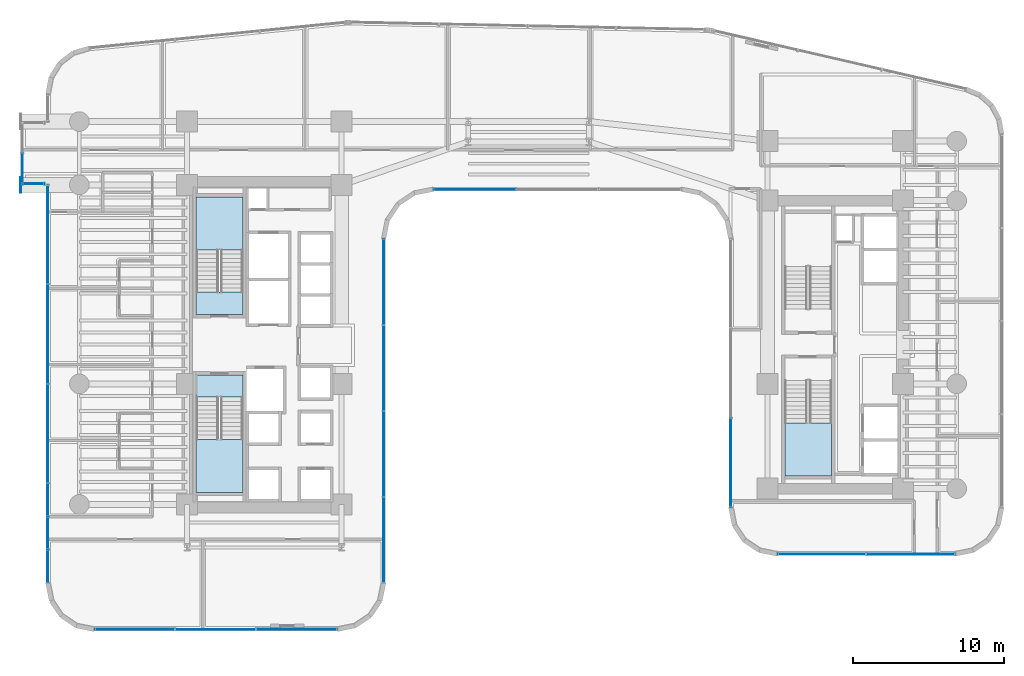
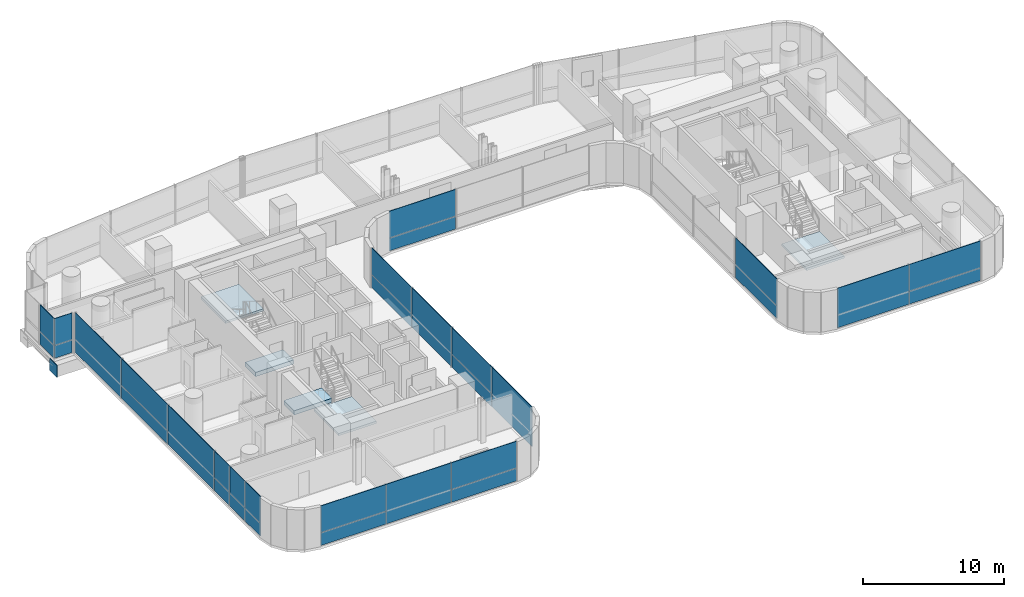
# One storey, part 29 of 40: 33 plates, 5 slabs, 11 elements without a shape of their own.
"""IFC4 building model written with IfcOpenShell, lengths in metres."""

from ifc_helpers import new_model, si_unit, direction, frame, origin, origin_2d, place, context, subcontext, project, spatial, polyline, rectangle, outline, extrude, source, transform, mapped, material, layer, layer_set, type_object, element, aggregate, save


model = new_model("IFC4")

# Units and contexts
model_context = context("Model", 3, precision=1e-05, world=origin(), true_north=direction((0.0, 1.0)))
body_context = subcontext(model_context, "Body", "Model", "MODEL_VIEW")
ifc_project = project(units=[si_unit("LENGTHUNIT", "METRE"), si_unit("AREAUNIT", "SQUARE_METRE"), si_unit("VOLUMEUNIT", "CUBIC_METRE"), si_unit("PLANEANGLEUNIT", "RADIAN"), si_unit("MASSUNIT", "GRAM", prefix="KILO")], contexts=[model_context])

# Site, building, storey
site_placement = place(None, origin())
site = spatial("IfcSite", under=ifc_project, at=site_placement, CompositionType="ELEMENT")
building_placement = place(site_placement, origin())
building = spatial("IfcBuilding", under=site, at=building_placement, Name="Valdorenza Pilgrim Sanctuary Tower", CompositionType="ELEMENT")
storey_placement = place(building_placement, frame((0.0, 0.0, 81.5)))
storey = spatial("IfcBuildingStorey", under=building, at=storey_placement, Name="L20", CompositionType="ELEMENT", Elevation=81.5)

# Stair, slab
ifc_material_1 = material(Name="Concrete C40/50", Category="concrete")
stair_type = type_object("IfcStairType", Name="STR-DOG-CORE", PredefinedType="HALF_TURN_STAIR", material=ifc_material_1)
stair_1_placement = place(storey_placement, origin())
stair_1 = element("IfcStair", 1, at=stair_1_placement, inside=storey, type_object=stair_type, Name="L20 ST-A1", PredefinedType="HALF_TURN_STAIR")
ifc_layer_1 = layer(ifc_material_1, 0.199951171875, Name="Concrete C40/50")
ifc_layer_set_1 = layer_set([ifc_layer_1], Name="Concrete C40/50")
slab_type_1 = type_object("IfcSlabType", Name="SLAB-STL-200", PredefinedType="LANDING", material=ifc_layer_set_1)
slab_1_placement = place(storey_placement, frame((0.0, 0.0, 1.64990234375)))
slab_1 = element("IfcSlab", 2, at=slab_1_placement, type_object=slab_type_1, Name="ST-A1 landing 1", PredefinedType="LANDING", context=body_context, shape_type="SweptSolid", body=[
    extrude(outline(polyline([(-18.93994140625, 6.280029296875), (-18.93994140625, 9.800048828125), (-22.050048828125, 9.800048828125), (-22.050048828125, 6.280029296875), (-18.93994140625, 6.280029296875)])), origin(), (0.0, 0.0, 1.0), 0.2001953125),
])
aggregate(stair_1, [slab_1])

stair_2_placement = place(storey_placement, origin())
stair_2 = element("IfcStair", 3, at=stair_2_placement, inside=storey, type_object=stair_type, Name="L20 ST-A2", PredefinedType="HALF_TURN_STAIR")
slab_2_placement = place(storey_placement, frame((0.0, 0.0, 1.64990234375)))
slab_2 = element("IfcSlab", 4, at=slab_2_placement, type_object=slab_type_1, Name="ST-A2 landing 1", PredefinedType="LANDING", context=body_context, shape_type="SweptSolid", body=[
    extrude(outline(polyline([(-22.050048828125, -6.280029296875), (-22.050048828125, -9.800048828125), (-18.93994140625, -9.800048828125), (-18.93994140625, -6.280029296875), (-22.050048828125, -6.280029296875)])), origin(), (0.0, 0.0, 1.0), 0.2001953125),
])
aggregate(stair_2, [slab_2])

stair_3_placement = place(storey_placement, origin())
stair_3 = element("IfcStair", 5, at=stair_3_placement, inside=storey, type_object=stair_type, Name="L20 ST-B2", PredefinedType="HALF_TURN_STAIR")
slab_3_placement = place(storey_placement, frame((0.0, 0.0, 1.64990234375)))
slab_3 = element("IfcSlab", 6, at=slab_3_placement, type_object=slab_type_1, Name="ST-B2 landing 1", PredefinedType="LANDING", context=body_context, shape_type="SweptSolid", body=[
    extrude(outline(polyline([(17.0, -5.179931640625), (17.0, -8.699951171875), (20.110107421875, -8.699951171875), (20.110107421875, -5.179931640625), (17.0, -5.179931640625)])), origin(), (0.0, 0.0, 1.0), 0.2001953125),
])
aggregate(stair_3, [slab_3])

# Slabs
ifc_material_2 = material(Name="Concrete C50/60", Category="concrete")
ifc_layer_2 = layer(ifc_material_2, 0.39990234375, Name="Concrete C50/60")
ifc_layer_set_2 = layer_set([ifc_layer_2], Name="Concrete C50/60")
slab_type_2 = type_object("IfcSlabType", Name="SLAB-TRF-400", PredefinedType="FLOOR", material=ifc_layer_set_2)
slab_4_placement = place(storey_placement, frame((0.0, 0.0, -0.360107421875)))
element("IfcSlab", 7, at=slab_4_placement, inside=storey, type_object=slab_type_2, Name="L20 ST-A1 Structural Stair Landing Bearing Slab", PredefinedType="FLOOR", context=body_context, shape_type="SweptSolid", body=[
    extrude(outline(polyline([(-22.050048828125, 2.0), (-18.93994140625, 2.0), (-18.93994140625, 3.485107421875), (-22.050048828125, 3.485107421875), (-22.050048828125, 2.0)])), origin(), (0.0, 0.0, 1.0), 0.360107421875),
])
slab_5_placement = place(storey_placement, frame((0.0, 0.0, -0.360107421875)))
element("IfcSlab", 8, at=slab_5_placement, inside=storey, type_object=slab_type_2, Name="L20 ST-A2 Structural Stair Landing Bearing Slab", PredefinedType="FLOOR", context=body_context, shape_type="SweptSolid", body=[
    extrude(outline(polyline([(-22.050048828125, -3.485107421875), (-18.93994140625, -3.485107421875), (-18.93994140625, -2.0), (-22.050048828125, -2.0), (-22.050048828125, -3.485107421875)])), origin(), (0.0, 0.0, 1.0), 0.360107421875),
])

# Plate
ifc_material_3 = material(Name="Steel ASTM A572 Grade 42", Category="steel")
ifc_layer_3 = layer(ifc_material_3, 0.06005859375, Name="Steel ASTM A572 Grade 42")
ifc_layer_set_3 = layer_set([ifc_layer_3], Name="Steel ASTM A572 Grade 42")
plate_type_1 = type_object("IfcPlateType", Name="PLT-CAP-60", PredefinedType="SHEET", material=ifc_layer_set_3)
shared_shape_1 = source(origin(), body_context, "Body", "SweptSolid", [
    extrude(rectangle(XDim=0.06005859375, YDim=1.0400390625, at=origin_2d()), origin(), (0.0, 0.0, 1.0), 1.0400390625),
])
plate_1_placement = place(storey_placement, frame((-33.679931640625, 10.60009765625, -1.260009765625), z_axis=(0.0, 0.0, 1.0), x_axis=(1.0, 0.0, 0.0)))
element("IfcPlate", 9, at=plate_1_placement, inside=storey, type_object=plate_type_1, Name="L20 BOX-WA-L20 Cantilever Tip End Cap S", PredefinedType="SHEET", context=body_context, shape_type="MappedRepresentation", body=[
    mapped(shared_shape_1, transform((0.0, 0.0, 0.0), x_axis=(1.0, 0.0, 0.0), y_axis=(0.0, 1.0, 0.0), z_axis=(0.0, 0.0, 1.0), scale=1.0)),
])

# Curtain wall, plates
ifc_material_4 = material(Name="Curtain-wall IGU glazing", Category="glass")
curtain_wall_type_1 = type_object("IfcCurtainWallType", Name="CW-SYS-03", PredefinedType="NOTDEFINED", material=ifc_material_4)
curtain_wall_1_placement = place(storey_placement, origin())
curtain_wall_1 = element("IfcCurtainWall", 10, at=curtain_wall_1_placement, inside=storey, type_object=curtain_wall_type_1, Name="L20 Curtain Wall CW-L20-1-26", PredefinedType="NOTDEFINED")
ifc_material_5 = material(Name="Honed travertine limestone", Category="masonry")
ifc_layer_4 = layer(ifc_material_5, 0.050048828125, Name="Honed travertine limestone")
ifc_layer_set_4 = layer_set([ifc_layer_4], Name="Honed travertine limestone")
plate_type_2 = type_object("IfcPlateType", Name="CW-SPN-TRV", PredefinedType="USERDEFINED", material=ifc_layer_set_4)
shared_shape_2 = source(origin(), body_context, "Body", "SweptSolid", [
    extrude(rectangle(XDim=5.869140625, YDim=0.06005859375, at=origin_2d()), origin(), (0.0, 0.0, 1.0), 1.10009765625),
])
plate_2_placement = place(storey_placement, frame((25.344482421875, -13.889892578125, 0.010009765625), z_axis=(0.0, 0.0, 1.0), x_axis=(-1.0, 0.0, 0.0)))
plate_2 = element("IfcPlate", 11, at=plate_2_placement, type_object=plate_type_2, Name="CW-L20-1-26 Travertine Spandrel 1", ObjectType="SPANDREL", PredefinedType="USERDEFINED", context=body_context, shape_type="MappedRepresentation", body=[
    mapped(shared_shape_2, transform((0.0, 0.0, 0.0), x_axis=(1.0, 0.0, 0.0), y_axis=(0.0, 1.0, 0.0), z_axis=(0.0, 0.0, 1.0), scale=1.0)),
])
ifc_material_6 = material(Name="Ceramic-fritted low-E IGU glazing", Category="glass")
ifc_layer_5 = layer(ifc_material_6, 0.035888671875, Name="Ceramic-fritted low-E IGU glazing")
ifc_layer_set_5 = layer_set([ifc_layer_5], Name="Ceramic-fritted low-E IGU glazing")
plate_type_3 = type_object("IfcPlateType", Name="CW-GLZ-IGU", PredefinedType="USERDEFINED", material=ifc_layer_set_5)
shared_shape_3 = source(origin(), body_context, "Body", "SweptSolid", [
    extrude(rectangle(XDim=5.869140625, YDim=0.050048828125, at=origin_2d()), origin(), (0.0, 0.0, 1.0), 2.320068359375),
])
plate_3_placement = place(storey_placement, frame((25.344482421875, -13.889892578125, 1.1298828125), z_axis=(0.0, 0.0, 1.0), x_axis=(-1.0, 0.0, 0.0)))
plate_3 = element("IfcPlate", 12, at=plate_3_placement, type_object=plate_type_3, Name="CW-L20-1-26 Facade Panel 1", ObjectType="GLAZING", PredefinedType="USERDEFINED", context=body_context, shape_type="MappedRepresentation", body=[
    mapped(shared_shape_3, transform((0.0, 0.0, 0.0), x_axis=(1.0, 0.0, 0.0), y_axis=(0.0, 1.0, 0.0), z_axis=(0.0, 0.0, 1.0), scale=1.0)),
])
shared_shape_4 = source(origin(), body_context, "Body", "SweptSolid", [
    extrude(rectangle(XDim=5.869140625, YDim=0.050048828125, at=origin_2d()), origin(), (0.0, 0.0, 1.0), 3.43994140625),
])
plate_4_placement = place(storey_placement, frame((19.455322265625, -13.889892578125, 0.010009765625), z_axis=(0.0, 0.0, 1.0), x_axis=(-1.0, 0.0, 0.0)))
plate_4 = element("IfcPlate", 13, at=plate_4_placement, type_object=plate_type_3, Name="CW-L20-1-26 Full-Height Facade Panel 2", ObjectType="GLAZING", PredefinedType="USERDEFINED", context=body_context, shape_type="MappedRepresentation", body=[
    mapped(shared_shape_4, transform((0.0, 0.0, 0.0), x_axis=(1.0, 0.0, 0.0), y_axis=(0.0, 1.0, 0.0), z_axis=(0.0, 0.0, 1.0), scale=1.0)),
])
aggregate(curtain_wall_1, [plate_2, plate_3, plate_4])

curtain_wall_2_placement = place(storey_placement, origin())
curtain_wall_2 = element("IfcCurtainWall", 14, at=curtain_wall_2_placement, inside=storey, type_object=curtain_wall_type_1, Name="L20 Curtain Wall CW-L20-1-31", PredefinedType="NOTDEFINED")
shared_shape_5 = source(origin(), body_context, "Body", "SweptSolid", [
    extrude(rectangle(XDim=5.913330078125, YDim=0.06005859375, at=origin_2d()), origin(), (0.0, 0.0, 1.0), 1.10009765625),
])
plate_5_placement = place(storey_placement, frame((13.409912109375, -7.822509765625, 0.010009765625), z_axis=(0.0, 0.0, 1.0), x_axis=(0.0, 1.0, 0.0)))
plate_5 = element("IfcPlate", 15, at=plate_5_placement, type_object=plate_type_2, Name="CW-L20-1-31 Travertine Spandrel 1", ObjectType="SPANDREL", PredefinedType="USERDEFINED", context=body_context, shape_type="MappedRepresentation", body=[
    mapped(shared_shape_5, transform((0.0, 0.0, 0.0), x_axis=(1.0, 0.0, 0.0), y_axis=(0.0, 1.0, 0.0), z_axis=(0.0, 0.0, 1.0), scale=1.0)),
])
shared_shape_6 = source(origin(), body_context, "Body", "SweptSolid", [
    extrude(rectangle(XDim=5.913330078125, YDim=0.050048828125, at=origin_2d()), origin(), (0.0, 0.0, 1.0), 2.320068359375),
])
plate_6_placement = place(storey_placement, frame((13.409912109375, -7.822509765625, 1.1298828125), z_axis=(0.0, 0.0, 1.0), x_axis=(0.0, 1.0, 0.0)))
plate_6 = element("IfcPlate", 16, at=plate_6_placement, type_object=plate_type_3, Name="CW-L20-1-31 Facade Panel 1", ObjectType="GLAZING", PredefinedType="USERDEFINED", context=body_context, shape_type="MappedRepresentation", body=[
    mapped(shared_shape_6, transform((0.0, 0.0, 0.0), x_axis=(1.0, 0.0, 0.0), y_axis=(0.0, 1.0, 0.0), z_axis=(0.0, 0.0, 1.0), scale=1.0)),
])
aggregate(curtain_wall_2, [plate_5, plate_6])

curtain_wall_type_2 = type_object("IfcCurtainWallType", Name="CW-SYS-02", PredefinedType="NOTDEFINED", material=ifc_material_4)
curtain_wall_3_placement = place(storey_placement, origin())
curtain_wall_3 = element("IfcCurtainWall", 17, at=curtain_wall_3_placement, inside=storey, type_object=curtain_wall_type_2, Name="L20 Curtain Wall CW-L20-1-36", PredefinedType="NOTDEFINED")
shared_shape_7 = source(origin(), body_context, "Body", "SweptSolid", [
    extrude(rectangle(XDim=5.453857421875, YDim=0.06005859375, at=origin_2d()), origin(), (0.0, 0.0, 1.0), 1.10009765625),
])
plate_7_placement = place(storey_placement, frame((-3.573974609375, 10.31005859375, 0.010009765625), z_axis=(0.0, 0.0, 1.0), x_axis=(-1.0, 0.0, 0.0)))
plate_7 = element("IfcPlate", 18, at=plate_7_placement, type_object=plate_type_2, Name="CW-L20-1-36 Travertine Spandrel 3", ObjectType="SPANDREL", PredefinedType="USERDEFINED", context=body_context, shape_type="MappedRepresentation", body=[
    mapped(shared_shape_7, transform((0.0, 0.0, 0.0), x_axis=(1.0, 0.0, 0.0), y_axis=(0.0, 1.0, 0.0), z_axis=(0.0, 0.0, 1.0), scale=1.0)),
])
shared_shape_8 = source(origin(), body_context, "Body", "SweptSolid", [
    extrude(rectangle(XDim=5.453857421875, YDim=0.050048828125, at=origin_2d()), origin(), (0.0, 0.0, 1.0), 2.320068359375),
])
plate_8_placement = place(storey_placement, frame((-3.573974609375, 10.31005859375, 1.1298828125), z_axis=(0.0, 0.0, 1.0), x_axis=(-1.0, 0.0, 0.0)))
plate_8 = element("IfcPlate", 19, at=plate_8_placement, type_object=plate_type_3, Name="CW-L20-1-36 Facade Panel 3", ObjectType="GLAZING", PredefinedType="USERDEFINED", context=body_context, shape_type="MappedRepresentation", body=[
    mapped(shared_shape_8, transform((0.0, 0.0, 0.0), x_axis=(1.0, 0.0, 0.0), y_axis=(0.0, 1.0, 0.0), z_axis=(0.0, 0.0, 1.0), scale=1.0)),
])
aggregate(curtain_wall_3, [plate_7, plate_8])

curtain_wall_4_placement = place(storey_placement, origin())
curtain_wall_4 = element("IfcCurtainWall", 20, at=curtain_wall_4_placement, inside=storey, type_object=curtain_wall_type_2, Name="L20 Curtain Wall CW-L20-1-41", PredefinedType="NOTDEFINED")
shared_shape_9 = source(origin(), body_context, "Body", "SweptSolid", [
    extrude(rectangle(XDim=5.679931640625, YDim=0.06005859375, at=origin_2d()), origin(), (0.0, 0.0, 1.0), 1.10009765625),
])
plate_9_placement = place(storey_placement, frame((-9.610107421875, 4.160888671875, 0.010009765625), z_axis=(0.0, 0.0, 1.0), x_axis=(0.0, -1.0, 0.0)))
plate_9 = element("IfcPlate", 21, at=plate_9_placement, type_object=plate_type_2, Name="CW-L20-1-41 Travertine Spandrel 1", ObjectType="SPANDREL", PredefinedType="USERDEFINED", context=body_context, shape_type="MappedRepresentation", body=[
    mapped(shared_shape_9, transform((0.0, 0.0, 0.0), x_axis=(1.0, 0.0, 0.0), y_axis=(0.0, 1.0, 0.0), z_axis=(0.0, 0.0, 1.0), scale=1.0)),
])
plate_10_placement = place(storey_placement, frame((-9.610107421875, -7.2392578125, 0.010009765625), z_axis=(0.0, 0.0, 1.0), x_axis=(0.0, -1.0, 0.0)))
plate_10 = element("IfcPlate", 22, at=plate_10_placement, type_object=plate_type_2, Name="CW-L20-1-41 Travertine Spandrel 3", ObjectType="SPANDREL", PredefinedType="USERDEFINED", context=body_context, shape_type="MappedRepresentation", body=[
    mapped(shared_shape_9, transform((0.0, 0.0, 0.0), x_axis=(1.0, 0.0, 0.0), y_axis=(0.0, 1.0, 0.0), z_axis=(0.0, 0.0, 1.0), scale=1.0)),
])
shared_shape_10 = source(origin(), body_context, "Body", "SweptSolid", [
    extrude(rectangle(XDim=5.679931640625, YDim=0.050048828125, at=origin_2d()), origin(), (0.0, 0.0, 1.0), 2.320068359375),
])
plate_11_placement = place(storey_placement, frame((-9.610107421875, 4.160888671875, 1.1298828125), z_axis=(0.0, 0.0, 1.0), x_axis=(0.0, -1.0, 0.0)))
plate_11 = element("IfcPlate", 23, at=plate_11_placement, type_object=plate_type_3, Name="CW-L20-1-41 Facade Panel 1", ObjectType="GLAZING", PredefinedType="USERDEFINED", context=body_context, shape_type="MappedRepresentation", body=[
    mapped(shared_shape_10, transform((0.0, 0.0, 0.0), x_axis=(1.0, 0.0, 0.0), y_axis=(0.0, 1.0, 0.0), z_axis=(0.0, 0.0, 1.0), scale=1.0)),
])
plate_12_placement = place(storey_placement, frame((-9.610107421875, -7.2392578125, 1.1298828125), z_axis=(0.0, 0.0, 1.0), x_axis=(0.0, -1.0, 0.0)))
plate_12 = element("IfcPlate", 24, at=plate_12_placement, type_object=plate_type_3, Name="CW-L20-1-41 Facade Panel 3", ObjectType="GLAZING", PredefinedType="USERDEFINED", context=body_context, shape_type="MappedRepresentation", body=[
    mapped(shared_shape_10, transform((0.0, 0.0, 0.0), x_axis=(1.0, 0.0, 0.0), y_axis=(0.0, 1.0, 0.0), z_axis=(0.0, 0.0, 1.0), scale=1.0)),
])
shared_shape_11 = source(origin(), body_context, "Body", "SweptSolid", [
    extrude(rectangle(XDim=5.679931640625, YDim=0.050048828125, at=origin_2d()), origin(), (0.0, 0.0, 1.0), 3.43994140625),
])
plate_13_placement = place(storey_placement, frame((-9.610107421875, -1.539306640625, 0.010009765625), z_axis=(0.0, 0.0, 1.0), x_axis=(0.0, -1.0, 0.0)))
plate_13 = element("IfcPlate", 25, at=plate_13_placement, type_object=plate_type_3, Name="CW-L20-1-41 Full-Height Facade Panel 2", ObjectType="GLAZING", PredefinedType="USERDEFINED", context=body_context, shape_type="MappedRepresentation", body=[
    mapped(shared_shape_11, transform((0.0, 0.0, 0.0), x_axis=(1.0, 0.0, 0.0), y_axis=(0.0, 1.0, 0.0), z_axis=(0.0, 0.0, 1.0), scale=1.0)),
])
plate_14_placement = place(storey_placement, frame((-9.610107421875, -12.939208984375, 0.010009765625), z_axis=(0.0, 0.0, 1.0), x_axis=(0.0, -1.0, 0.0)))
plate_14 = element("IfcPlate", 26, at=plate_14_placement, type_object=plate_type_3, Name="CW-L20-1-41 Full-Height Facade Panel 4", ObjectType="GLAZING", PredefinedType="USERDEFINED", context=body_context, shape_type="MappedRepresentation", body=[
    mapped(shared_shape_11, transform((0.0, 0.0, 0.0), x_axis=(1.0, 0.0, 0.0), y_axis=(0.0, 1.0, 0.0), z_axis=(0.0, 0.0, 1.0), scale=1.0)),
])
aggregate(curtain_wall_4, [plate_9, plate_11, plate_13, plate_10, plate_12, plate_14])

curtain_wall_5_placement = place(storey_placement, origin())
curtain_wall_5 = element("IfcCurtainWall", 27, at=curtain_wall_5_placement, inside=storey, type_object=curtain_wall_type_2, Name="L20 Curtain Wall CW-L20-1-46", PredefinedType="NOTDEFINED")
shared_shape_12 = source(origin(), body_context, "Body", "SweptSolid", [
    extrude(rectangle(XDim=5.339599609375, YDim=0.06005859375, at=origin_2d()), origin(), (0.0, 0.0, 1.0), 1.10009765625),
])
plate_15_placement = place(storey_placement, frame((-15.390380859375, -18.889892578125, 0.010009765625), z_axis=(0.0, 0.0, 1.0), x_axis=(-1.0, 0.0, 0.0)))
plate_15 = element("IfcPlate", 28, at=plate_15_placement, type_object=plate_type_2, Name="CW-L20-1-46 Travertine Spandrel 1", ObjectType="SPANDREL", PredefinedType="USERDEFINED", context=body_context, shape_type="MappedRepresentation", body=[
    mapped(shared_shape_12, transform((0.0, 0.0, 0.0), x_axis=(1.0, 0.0, 0.0), y_axis=(0.0, 1.0, 0.0), z_axis=(0.0, 0.0, 1.0), scale=1.0)),
])
plate_16_placement = place(storey_placement, frame((-26.109619140625, -18.889892578125, 0.010009765625), z_axis=(0.0, 0.0, 1.0), x_axis=(-1.0, 0.0, 0.0)))
plate_16 = element("IfcPlate", 29, at=plate_16_placement, type_object=plate_type_2, Name="CW-L20-1-46 Travertine Spandrel 3", ObjectType="SPANDREL", PredefinedType="USERDEFINED", context=body_context, shape_type="MappedRepresentation", body=[
    mapped(shared_shape_12, transform((0.0, 0.0, 0.0), x_axis=(1.0, 0.0, 0.0), y_axis=(0.0, 1.0, 0.0), z_axis=(0.0, 0.0, 1.0), scale=1.0)),
])
shared_shape_13 = source(origin(), body_context, "Body", "SweptSolid", [
    extrude(rectangle(XDim=5.339599609375, YDim=0.050048828125, at=origin_2d()), origin(), (0.0, 0.0, 1.0), 2.320068359375),
])
plate_17_placement = place(storey_placement, frame((-15.390380859375, -18.889892578125, 1.1298828125), z_axis=(0.0, 0.0, 1.0), x_axis=(-1.0, 0.0, 0.0)))
plate_17 = element("IfcPlate", 30, at=plate_17_placement, type_object=plate_type_3, Name="CW-L20-1-46 Facade Panel 1", ObjectType="GLAZING", PredefinedType="USERDEFINED", context=body_context, shape_type="MappedRepresentation", body=[
    mapped(shared_shape_13, transform((0.0, 0.0, 0.0), x_axis=(1.0, 0.0, 0.0), y_axis=(0.0, 1.0, 0.0), z_axis=(0.0, 0.0, 1.0), scale=1.0)),
])
plate_18_placement = place(storey_placement, frame((-26.109619140625, -18.889892578125, 1.1298828125), z_axis=(0.0, 0.0, 1.0), x_axis=(-1.0, 0.0, 0.0)))
plate_18 = element("IfcPlate", 31, at=plate_18_placement, type_object=plate_type_3, Name="CW-L20-1-46 Facade Panel 3", ObjectType="GLAZING", PredefinedType="USERDEFINED", context=body_context, shape_type="MappedRepresentation", body=[
    mapped(shared_shape_13, transform((0.0, 0.0, 0.0), x_axis=(1.0, 0.0, 0.0), y_axis=(0.0, 1.0, 0.0), z_axis=(0.0, 0.0, 1.0), scale=1.0)),
])
shared_shape_14 = source(origin(), body_context, "Body", "SweptSolid", [
    extrude(rectangle(XDim=5.339599609375, YDim=0.050048828125, at=origin_2d()), origin(), (0.0, 0.0, 1.0), 3.43994140625),
])
plate_19_placement = place(storey_placement, frame((-20.75, -18.889892578125, 0.010009765625), z_axis=(0.0, 0.0, 1.0), x_axis=(-1.0, 0.0, 0.0)))
plate_19 = element("IfcPlate", 32, at=plate_19_placement, type_object=plate_type_3, Name="CW-L20-1-46 Full-Height Facade Panel 2", ObjectType="GLAZING", PredefinedType="USERDEFINED", context=body_context, shape_type="MappedRepresentation", body=[
    mapped(shared_shape_14, transform((0.0, 0.0, 0.0), x_axis=(1.0, 0.0, 0.0), y_axis=(0.0, 1.0, 0.0), z_axis=(0.0, 0.0, 1.0), scale=1.0)),
])
aggregate(curtain_wall_5, [plate_15, plate_17, plate_19, plate_16, plate_18])

curtain_wall_6_placement = place(storey_placement, origin())
curtain_wall_6 = element("IfcCurtainWall", 33, at=curtain_wall_6_placement, inside=storey, type_object=curtain_wall_type_2, Name="L20 Curtain Wall CW-L20-BOX-WA-L20-S", PredefinedType="NOTDEFINED")
shared_shape_15 = source(origin(), body_context, "Body", "SweptSolid", [
    extrude(rectangle(XDim=1.43994140625, YDim=0.06005859375, at=origin_2d()), origin(), (0.0, 0.0, 1.0), 1.10009765625),
])
plate_20_placement = place(storey_placement, frame((-32.840087890625, 10.679931640625, 0.010009765625), z_axis=(0.0, 0.0, 1.0), x_axis=(-1.0, 0.0, 0.0)))
plate_20 = element("IfcPlate", 34, at=plate_20_placement, type_object=plate_type_2, Name="CW-L20-BOX-WA-L20-S Travertine Spandrel 1", ObjectType="SPANDREL", PredefinedType="USERDEFINED", context=body_context, shape_type="MappedRepresentation", body=[
    mapped(shared_shape_15, transform((0.0, 0.0, 0.0), x_axis=(1.0, 0.0, 0.0), y_axis=(0.0, 1.0, 0.0), z_axis=(0.0, 0.0, 1.0), scale=1.0)),
])
shared_shape_16 = source(origin(), body_context, "Body", "SweptSolid", [
    extrude(rectangle(XDim=1.43994140625, YDim=0.050048828125, at=origin_2d()), origin(), (0.0, 0.0, 1.0), 2.320068359375),
])
plate_21_placement = place(storey_placement, frame((-32.840087890625, 10.679931640625, 1.1298828125), z_axis=(0.0, 0.0, 1.0), x_axis=(-1.0, 0.0, 0.0)))
plate_21 = element("IfcPlate", 35, at=plate_21_placement, type_object=plate_type_3, Name="CW-L20-BOX-WA-L20-S Facade Panel 1", ObjectType="GLAZING", PredefinedType="USERDEFINED", context=body_context, shape_type="MappedRepresentation", body=[
    mapped(shared_shape_16, transform((0.0, 0.0, 0.0), x_axis=(1.0, 0.0, 0.0), y_axis=(0.0, 1.0, 0.0), z_axis=(0.0, 0.0, 1.0), scale=1.0)),
])
aggregate(curtain_wall_6, [plate_20, plate_21])

curtain_wall_7_placement = place(storey_placement, origin())
curtain_wall_7 = element("IfcCurtainWall", 36, at=curtain_wall_7_placement, inside=storey, type_object=curtain_wall_type_2, Name="L20 Curtain Wall CW-L20-1-1S1", PredefinedType="NOTDEFINED")
shared_shape_17 = source(origin(), body_context, "Body", "SweptSolid", [
    extrude(rectangle(XDim=6.577392578125, YDim=0.06005859375, at=origin_2d()), origin(), (0.0, 0.0, 1.0), 1.10009765625),
])
plate_22_placement = place(storey_placement, frame((-31.889892578125, 0.7041015625, 0.010009765625), z_axis=(0.0, 0.0, 1.0), x_axis=(0.0, 1.0, 0.0)))
plate_22 = element("IfcPlate", 37, at=plate_22_placement, type_object=plate_type_2, Name="CW-L20-1-1S1 Travertine Spandrel 3", ObjectType="SPANDREL", PredefinedType="USERDEFINED", context=body_context, shape_type="MappedRepresentation", body=[
    mapped(shared_shape_17, transform((0.0, 0.0, 0.0), x_axis=(1.0, 0.0, 0.0), y_axis=(0.0, 1.0, 0.0), z_axis=(0.0, 0.0, 1.0), scale=1.0)),
])
shared_shape_18 = source(origin(), body_context, "Body", "SweptSolid", [
    extrude(rectangle(XDim=6.577392578125, YDim=0.050048828125, at=origin_2d()), origin(), (0.0, 0.0, 1.0), 2.320068359375),
])
plate_23_placement = place(storey_placement, frame((-31.889892578125, 0.7041015625, 1.1298828125), z_axis=(0.0, 0.0, 1.0), x_axis=(0.0, 1.0, 0.0)))
plate_23 = element("IfcPlate", 38, at=plate_23_placement, type_object=plate_type_3, Name="CW-L20-1-1S1 Facade Panel 3", ObjectType="GLAZING", PredefinedType="USERDEFINED", context=body_context, shape_type="MappedRepresentation", body=[
    mapped(shared_shape_18, transform((0.0, 0.0, 0.0), x_axis=(1.0, 0.0, 0.0), y_axis=(0.0, 1.0, 0.0), z_axis=(0.0, 0.0, 1.0), scale=1.0)),
])
shared_shape_19 = source(origin(), body_context, "Body", "SweptSolid", [
    extrude(rectangle(XDim=6.577392578125, YDim=0.050048828125, at=origin_2d()), origin(), (0.0, 0.0, 1.0), 3.43994140625),
])
plate_24_placement = place(storey_placement, frame((-31.889892578125, -5.893310546875, 0.010009765625), z_axis=(0.0, 0.0, 1.0), x_axis=(0.0, 1.0, 0.0)))
plate_24 = element("IfcPlate", 39, at=plate_24_placement, type_object=plate_type_3, Name="CW-L20-1-1S1 Full-Height Facade Panel 2", ObjectType="GLAZING", PredefinedType="USERDEFINED", context=body_context, shape_type="MappedRepresentation", body=[
    mapped(shared_shape_19, transform((0.0, 0.0, 0.0), x_axis=(1.0, 0.0, 0.0), y_axis=(0.0, 1.0, 0.0), z_axis=(0.0, 0.0, 1.0), scale=1.0)),
])
plate_25_placement = place(storey_placement, frame((-31.889892578125, 7.301513671875, 0.010009765625), z_axis=(0.0, 0.0, 1.0), x_axis=(0.0, 1.0, 0.0)))
plate_25 = element("IfcPlate", 40, at=plate_25_placement, type_object=plate_type_3, Name="CW-L20-1-1S1 Full-Height Facade Panel 4", ObjectType="GLAZING", PredefinedType="USERDEFINED", context=body_context, shape_type="MappedRepresentation", body=[
    mapped(shared_shape_19, transform((0.0, 0.0, 0.0), x_axis=(1.0, 0.0, 0.0), y_axis=(0.0, 1.0, 0.0), z_axis=(0.0, 0.0, 1.0), scale=1.0)),
])

curtain_wall_8_placement = place(storey_placement, origin())
curtain_wall_8 = element("IfcCurtainWall", 41, at=curtain_wall_8_placement, inside=storey, type_object=curtain_wall_type_2, Name="L20 Curtain Wall CW-L20-BOX-WA-L20-F", PredefinedType="NOTDEFINED")
shared_shape_20 = source(origin(), body_context, "Body", "SweptSolid", [
    extrude(rectangle(XDim=2.0, YDim=0.06005859375, at=origin_2d()), origin(), (0.0, 0.0, 1.0), 1.10009765625),
])
plate_26_placement = place(storey_placement, frame((-33.570068359375, 11.68994140625, 0.010009765625), z_axis=(0.0, 0.0, 1.0), x_axis=(0.0, 1.0, 0.0)))
plate_26 = element("IfcPlate", 42, at=plate_26_placement, type_object=plate_type_2, Name="CW-L20-BOX-WA-L20-F Travertine Spandrel 1", ObjectType="SPANDREL", PredefinedType="USERDEFINED", context=body_context, shape_type="MappedRepresentation", body=[
    mapped(shared_shape_20, transform((0.0, 0.0, 0.0), x_axis=(1.0, 0.0, 0.0), y_axis=(0.0, 1.0, 0.0), z_axis=(0.0, 0.0, 1.0), scale=1.0)),
])
shared_shape_21 = source(origin(), body_context, "Body", "SweptSolid", [
    extrude(rectangle(XDim=2.0, YDim=0.050048828125, at=origin_2d()), origin(), (0.0, 0.0, 1.0), 2.320068359375),
])
plate_27_placement = place(storey_placement, frame((-33.570068359375, 11.68994140625, 1.1298828125), z_axis=(0.0, 0.0, 1.0), x_axis=(0.0, 1.0, 0.0)))
plate_27 = element("IfcPlate", 43, at=plate_27_placement, type_object=plate_type_3, Name="CW-L20-BOX-WA-L20-F Facade Panel 1", ObjectType="GLAZING", PredefinedType="USERDEFINED", context=body_context, shape_type="MappedRepresentation", body=[
    mapped(shared_shape_21, transform((0.0, 0.0, 0.0), x_axis=(1.0, 0.0, 0.0), y_axis=(0.0, 1.0, 0.0), z_axis=(0.0, 0.0, 1.0), scale=1.0)),
])
aggregate(curtain_wall_8, [plate_26, plate_27])

# Plate
shared_shape_22 = source(origin(), body_context, "Body", "SweptSolid", [
    extrude(rectangle(XDim=2.17236328125, YDim=0.050048828125, at=origin_2d()), origin(), (0.0, 0.0, 1.0), 2.320068359375),
])
plate_28_placement = place(storey_placement, frame((-31.889892578125, -14.682861328125, 1.1298828125), z_axis=(0.0, 0.0, 1.0), x_axis=(0.0, 1.0, 0.0)))
plate_28 = element("IfcPlate", 44, at=plate_28_placement, type_object=plate_type_3, Name="CW-L20-1-1S1 Facade Panel 1 Sub 1", ObjectType="GLAZING", PredefinedType="USERDEFINED", context=body_context, shape_type="MappedRepresentation", body=[
    mapped(shared_shape_22, transform((0.0, 0.0, 0.0), x_axis=(1.0, 0.0, 0.0), y_axis=(0.0, 1.0, 0.0), z_axis=(0.0, 0.0, 1.0), scale=1.0)),
])

plate_29_placement = place(storey_placement, frame((-31.889892578125, -12.490478515625, 1.1298828125), z_axis=(0.0, 0.0, 1.0), x_axis=(0.0, 1.0, 0.0)))
plate_29 = element("IfcPlate", 45, at=plate_29_placement, type_object=plate_type_3, Name="CW-L20-1-1S1 Facade Panel 1 Sub 2", ObjectType="GLAZING", PredefinedType="USERDEFINED", context=body_context, shape_type="MappedRepresentation", body=[
    mapped(shared_shape_22, transform((0.0, 0.0, 0.0), x_axis=(1.0, 0.0, 0.0), y_axis=(0.0, 1.0, 0.0), z_axis=(0.0, 0.0, 1.0), scale=1.0)),
])

plate_30_placement = place(storey_placement, frame((-31.889892578125, -10.298095703125, 1.1298828125), z_axis=(0.0, 0.0, 1.0), x_axis=(0.0, 1.0, 0.0)))
plate_30 = element("IfcPlate", 46, at=plate_30_placement, type_object=plate_type_3, Name="CW-L20-1-1S1 Facade Panel 1 Sub 3", ObjectType="GLAZING", PredefinedType="USERDEFINED", context=body_context, shape_type="MappedRepresentation", body=[
    mapped(shared_shape_22, transform((0.0, 0.0, 0.0), x_axis=(1.0, 0.0, 0.0), y_axis=(0.0, 1.0, 0.0), z_axis=(0.0, 0.0, 1.0), scale=1.0)),
])

shared_shape_23 = source(origin(), body_context, "Body", "SweptSolid", [
    extrude(rectangle(XDim=2.17236328125, YDim=0.06005859375, at=origin_2d()), origin(), (0.0, 0.0, 1.0), 1.10009765625),
])
plate_31_placement = place(storey_placement, frame((-31.889892578125, -14.682861328125, 0.010009765625), z_axis=(0.0, 0.0, 1.0), x_axis=(0.0, 1.0, 0.0)))
plate_31 = element("IfcPlate", 47, at=plate_31_placement, type_object=plate_type_2, Name="CW-L20-1-1S1 Travertine Spandrel 1 Sub 1", ObjectType="SPANDREL", PredefinedType="USERDEFINED", context=body_context, shape_type="MappedRepresentation", body=[
    mapped(shared_shape_23, transform((0.0, 0.0, 0.0), x_axis=(1.0, 0.0, 0.0), y_axis=(0.0, 1.0, 0.0), z_axis=(0.0, 0.0, 1.0), scale=1.0)),
])

plate_32_placement = place(storey_placement, frame((-31.889892578125, -12.490478515625, 0.010009765625), z_axis=(0.0, 0.0, 1.0), x_axis=(0.0, 1.0, 0.0)))
plate_32 = element("IfcPlate", 48, at=plate_32_placement, type_object=plate_type_2, Name="CW-L20-1-1S1 Travertine Spandrel 1 Sub 2", ObjectType="SPANDREL", PredefinedType="USERDEFINED", context=body_context, shape_type="MappedRepresentation", body=[
    mapped(shared_shape_23, transform((0.0, 0.0, 0.0), x_axis=(1.0, 0.0, 0.0), y_axis=(0.0, 1.0, 0.0), z_axis=(0.0, 0.0, 1.0), scale=1.0)),
])

plate_33_placement = place(storey_placement, frame((-31.889892578125, -10.298095703125, 0.010009765625), z_axis=(0.0, 0.0, 1.0), x_axis=(0.0, 1.0, 0.0)))
plate_33 = element("IfcPlate", 49, at=plate_33_placement, type_object=plate_type_2, Name="CW-L20-1-1S1 Travertine Spandrel 1 Sub 3", ObjectType="SPANDREL", PredefinedType="USERDEFINED", context=body_context, shape_type="MappedRepresentation", body=[
    mapped(shared_shape_23, transform((0.0, 0.0, 0.0), x_axis=(1.0, 0.0, 0.0), y_axis=(0.0, 1.0, 0.0), z_axis=(0.0, 0.0, 1.0), scale=1.0)),
])

aggregate(curtain_wall_7, [plate_24, plate_22, plate_23, plate_25, plate_28, plate_31, plate_29, plate_32, plate_30, plate_33])

save(model, "model.ifc")
